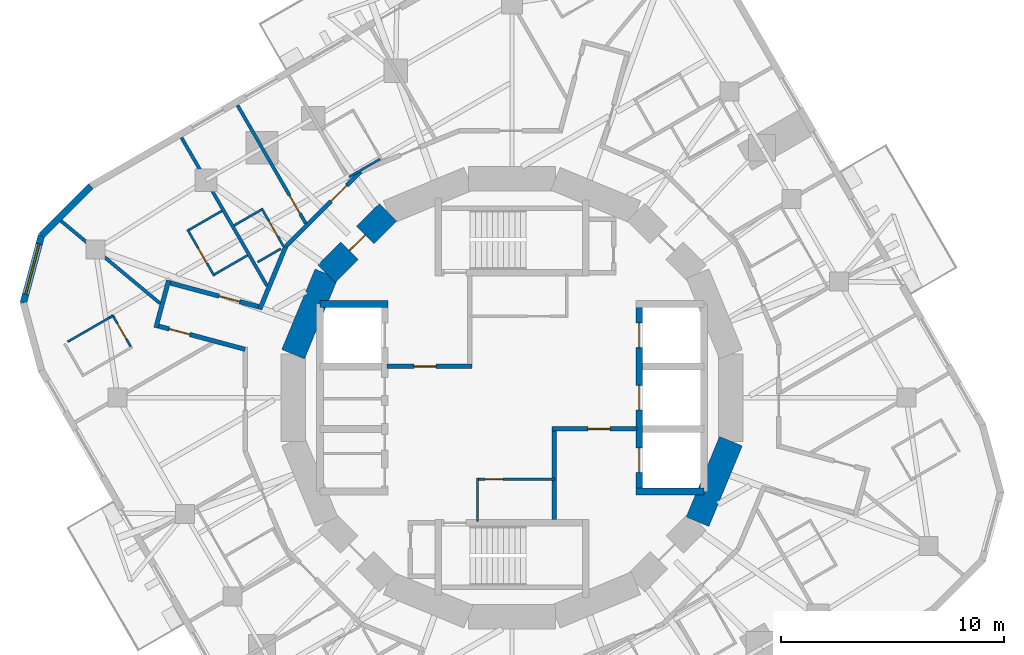
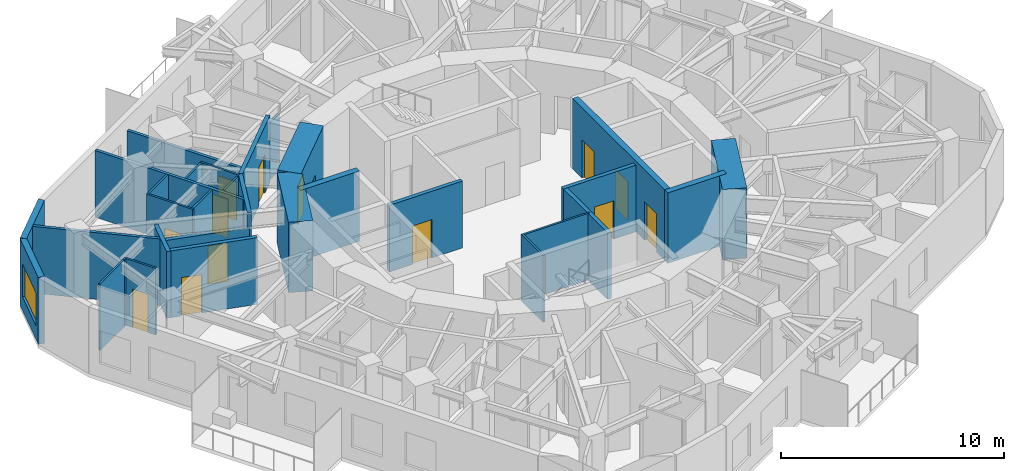
# One storey, part 6 of 11: 31 walls, 14 doors, 1 window, 15 openings.
"""IFC4 building model written with IfcOpenShell, lengths in metres."""

from ifc_helpers import new_model, si_unit, direction, frame, frame_2d, origin, place, context, subcontext, project, spatial, rectangle, extrude, material, layer, layer_set, type_object, element, fill, save


model = new_model("IFC4")

# Units and contexts
model_context = context("Model", 3, precision=1e-05, world=origin(), true_north=direction((0.0, 1.0)))
body_context = subcontext(model_context, "Body", "Model", "MODEL_VIEW")
ifc_project = project(units=[si_unit("LENGTHUNIT", "METRE"), si_unit("AREAUNIT", "SQUARE_METRE"), si_unit("VOLUMEUNIT", "CUBIC_METRE"), si_unit("PLANEANGLEUNIT", "RADIAN"), si_unit("MASSUNIT", "GRAM", prefix="KILO")], contexts=[model_context])

# Site, building, storey
site_placement = place(None, origin())
site = spatial("IfcSite", under=ifc_project, at=site_placement, CompositionType="ELEMENT")
building_placement = place(site_placement, origin())
building = spatial("IfcBuilding", under=site, at=building_placement, Name="Nakasero Lantern House", CompositionType="ELEMENT")
storey_placement = place(building_placement, frame((0.0, 0.0, 242.35009765625)))
storey = spatial("IfcBuildingStorey", under=building, at=storey_placement, Name="L59", CompositionType="ELEMENT", Elevation=242.35009765625)

# Wall, openings, doors
ifc_material_1 = material(Name="Concrete C50/60", Category="concrete")
ifc_layer_1 = layer(ifc_material_1, 0.300048828125)
ifc_layer_set_1 = layer_set([ifc_layer_1], Name="Core inner wall 300")
wall_type_1 = type_object("IfcWallType", Name="Core inner wall 300", PredefinedType="SHEAR", material=ifc_layer_set_1)
wall_1_placement = place(storey_placement, frame((5.699951171875, -4.199951171875, 0.0), z_axis=(0.0, 0.0, 1.0), x_axis=(0.0, 1.0, 0.0)))
wall_1 = element("IfcWall", 1, at=wall_1_placement, inside=storey, type_object=wall_type_1, Name="Core inner wall L59 LE", PredefinedType="SHEAR", context=body_context, shape_type="SweptSolid", body=[
    extrude(rectangle(XDim=8.39990234375, YDim=0.300048828125, at=frame_2d((4.199951171875, 0.0))), origin(), (0.0, 0.0, 1.0), 3.849853515625),
])
opening_1_placement = place(wall_1_placement, frame((0.85009765625, 0.0, 0.0)))
opening_1 = element("IfcOpeningElement", 2, at=opening_1_placement, cuts=wall_1, Name="Opening LD", PredefinedType="OPENING", context=body_context, shape_type="SweptSolid", body=[
    extrude(rectangle(XDim=1.10009765625, YDim=2.10009765625, at=frame_2d((0.550048828125, 1.050048828125))), frame((0.0, 0.169921875, 0.0), z_axis=(0.0, -1.0, 0.0), x_axis=(1.0, 0.0, 0.0)), (0.0, 0.0, 1.0), 0.340087890625),
])
opening_2_placement = place(wall_1_placement, frame((3.64990234375, 0.0, 0.0)))
opening_2 = element("IfcOpeningElement", 3, at=opening_2_placement, cuts=wall_1, Name="Opening LD", PredefinedType="OPENING", context=body_context, shape_type="SweptSolid", body=[
    extrude(rectangle(XDim=1.10009765625, YDim=2.10009765625, at=frame_2d((0.550048828125, 1.050048828125))), frame((0.0, 0.169921875, 0.0), z_axis=(0.0, -1.0, 0.0), x_axis=(1.0, 0.0, 0.0)), (0.0, 0.0, 1.0), 0.340087890625),
])
opening_3_placement = place(wall_1_placement, frame((6.449951171875, 0.0, 0.0)))
opening_3 = element("IfcOpeningElement", 4, at=opening_3_placement, cuts=wall_1, Name="Opening LD", PredefinedType="OPENING", context=body_context, shape_type="SweptSolid", body=[
    extrude(rectangle(XDim=1.10009765625, YDim=2.10009765625, at=frame_2d((0.550048828125, 1.050048828125))), frame((0.0, 0.169921875, 0.0), z_axis=(0.0, -1.0, 0.0), x_axis=(1.0, 0.0, 0.0)), (0.0, 0.0, 1.0), 0.340087890625),
])
ifc_material_2 = material(Name="Steel S355", Category="steel")
door_type_1 = type_object("IfcDoorType", Name="Lift landing door E120 1100", OperationType="SLIDING_TO_LEFT", PredefinedType="DOOR", material=ifc_material_2)
door_1_placement = place(opening_1_placement, origin())
door_1 = element("IfcDoor", 5, at=door_1_placement, inside=storey, type_object=door_type_1, Name="Lift landing door LE1", OperationType="SLIDING_TO_LEFT", OverallHeight=2.10009765625, OverallWidth=1.10009765625, PredefinedType="DOOR", context=body_context, shape_type="SweptSolid", body=[
    extrude(rectangle(XDim=1.10009765625, YDim=2.10009765625, at=frame_2d((0.550048828125, 1.050048828125))), frame((0.0, 0.02490234375, 0.0), z_axis=(0.0, -1.0, 0.0), x_axis=(1.0, 0.0, 0.0)), (0.0, 0.0, 1.0), 0.050048828125),
])
fill(opening_1, door_1)
door_2_placement = place(opening_2_placement, origin())
door_2 = element("IfcDoor", 6, at=door_2_placement, inside=storey, type_object=door_type_1, Name="Lift landing door LE2", OperationType="SLIDING_TO_LEFT", OverallHeight=2.10009765625, OverallWidth=1.10009765625, PredefinedType="DOOR", context=body_context, shape_type="SweptSolid", body=[
    extrude(rectangle(XDim=1.10009765625, YDim=2.10009765625, at=frame_2d((0.550048828125, 1.050048828125))), frame((0.0, 0.02490234375, 0.0), z_axis=(0.0, -1.0, 0.0), x_axis=(1.0, 0.0, 0.0)), (0.0, 0.0, 1.0), 0.050048828125),
])
fill(opening_2, door_2)
door_3_placement = place(opening_3_placement, origin())
door_3 = element("IfcDoor", 7, at=door_3_placement, inside=storey, type_object=door_type_1, Name="Lift landing door LE3", OperationType="SLIDING_TO_LEFT", OverallHeight=2.10009765625, OverallWidth=1.10009765625, PredefinedType="DOOR", context=body_context, shape_type="SweptSolid", body=[
    extrude(rectangle(XDim=1.10009765625, YDim=2.10009765625, at=frame_2d((0.550048828125, 1.050048828125))), frame((0.0, 0.02490234375, 0.0), z_axis=(0.0, -1.0, 0.0), x_axis=(1.0, 0.0, 0.0)), (0.0, 0.0, 1.0), 0.050048828125),
])
fill(opening_3, door_3)

# Walls
for number, where, z_axis, x_axis, name in (
    (8, (-8.60009765625, 4.199951171875, 0.0), (0.0, 0.0, 1.0), (1.0, 0.0, 0.0), "Core inner wall L59 LWN"),
    (9, (5.550048828125, -4.199951171875, 0.0), (0.0, 0.0, 1.0), (1.0, 0.0, 0.0), "Core inner wall L59 LES"),
):
    element("IfcWall", number, at=place(storey_placement, frame(where, z_axis=z_axis, x_axis=x_axis)), inside=storey, type_object=wall_type_1, Name=name, PredefinedType="SHEAR", context=body_context, shape_type="SweptSolid", body=[
        extrude(rectangle(XDim=3.050048828125, YDim=0.300048828125, at=frame_2d((1.52490234375, 0.0))), origin(), (0.0, 0.0, 1.0), 3.849853515625),
    ])

# Wall, opening, door
ifc_material_3 = material(Name="Blockwork", Category="masonry")
ifc_layer_2 = layer(ifc_material_3, 0.10009765625)
ifc_layer_set_2 = layer_set([ifc_layer_2], Name="Core room wall 100")
wall_type_2 = type_object("IfcWallType", Name="Core room wall 100", PredefinedType="PARTITIONING", material=ifc_layer_set_2)
wall_2_placement = place(storey_placement, frame((-1.60009765625, -3.64990234375, 0.0), z_axis=(0.0, 0.0, 1.0), x_axis=(1.0, 0.0, 0.0)))
wall_2 = element("IfcWall", 10, at=wall_2_placement, inside=storey, type_object=wall_type_2, Name="Core room wall L59 CR-SWN", PredefinedType="PARTITIONING", context=body_context, shape_type="SweptSolid", body=[
    extrude(rectangle(XDim=3.5, YDim=0.10009765625, at=frame_2d((1.75, 0.0))), origin(), (0.0, 0.0, 1.0), 3.64990234375),
])
opening_4_placement = place(wall_2_placement, frame((0.39990234375, 0.0, 0.0)))
opening_4 = element("IfcOpeningElement", 11, at=opening_4_placement, cuts=wall_2, Name="Opening D15", PredefinedType="OPENING", context=body_context, shape_type="SweptSolid", body=[
    extrude(rectangle(XDim=0.800048828125, YDim=2.10009765625, at=frame_2d((0.39990234375, 1.050048828125))), frame((0.0, 0.070068359375, 0.0), z_axis=(0.0, -1.0, 0.0), x_axis=(1.0, 0.0, 0.0)), (0.0, 0.0, 1.0), 0.14013671875),
])
ifc_material_4 = material(Name="Timber C24", Category="wood")
door_type_2 = type_object("IfcDoorType", Name="Cleaner's store door FD30S 800", OperationType="SINGLE_SWING_LEFT", PredefinedType="DOOR", material=ifc_material_4)
door_4_placement = place(opening_4_placement, origin())
door_4 = element("IfcDoor", 12, at=door_4_placement, inside=storey, type_object=door_type_2, Name="Door L59 D-CR-SW", OperationType="SINGLE_SWING_LEFT", OverallHeight=2.10009765625, OverallWidth=0.800048828125, PredefinedType="DOOR", context=body_context, shape_type="SweptSolid", body=[
    extrude(rectangle(XDim=0.800048828125, YDim=2.10009765625, at=frame_2d((0.39990234375, 1.050048828125))), frame((0.0, 0.02490234375, 0.0), z_axis=(0.0, -1.0, 0.0), x_axis=(1.0, 0.0, 0.0)), (0.0, 0.0, 1.0), 0.050048828125),
])
fill(opening_4, door_4)

# Wall
wall_3_placement = place(storey_placement, frame((-1.550048828125, -5.550048828125, 0.0), z_axis=(0.0, 0.0, 1.0), x_axis=(0.0, 1.0, 0.0)))
element("IfcWall", 13, at=wall_3_placement, inside=storey, type_object=wall_type_2, Name="Core room wall L59 CR-SWW", PredefinedType="PARTITIONING", context=body_context, shape_type="SweptSolid", body=[
    extrude(rectangle(XDim=1.949951171875, YDim=0.10009765625, at=frame_2d((0.97509765625, 0.0))), origin(), (0.0, 0.0, 1.0), 3.64990234375),
])

# Wall, opening, door
ifc_material_5 = material(Name="Concrete C50/60", Category="concrete")
ifc_layer_3 = layer(ifc_material_5, 1.10009765625)
ifc_layer_set_3 = layer_set([ifc_layer_3], Name="Core wall 1100")
wall_type_3 = type_object("IfcWallType", Name="Core wall 1100", PredefinedType="SHEAR", material=ifc_layer_set_3)
wall_4_placement = place(storey_placement, frame((-5.5556640625, 8.314697265625, 0.0), z_axis=(0.0, 0.0, 1.0), x_axis=(-0.707106781187, -0.707106781187, 0.0)))
wall_4 = element("IfcWall", 14, at=wall_4_placement, inside=storey, type_object=wall_type_3, Name="Core wall L59 facet 6", PredefinedType="SHEAR", context=body_context, shape_type="SweptSolid", body=[
    extrude(rectangle(XDim=3.90185546875, YDim=1.10009765625, at=frame_2d((1.950927734375, 0.0))), origin(), (0.0, 0.0, 1.0), 3.849853515625),
])
opening_5_placement = place(wall_4_placement, frame((1.450927734375, 0.0, 0.0)))
opening_5 = element("IfcOpeningElement", 15, at=opening_5_placement, cuts=wall_4, Name="Opening D05", PredefinedType="OPENING", context=body_context, shape_type="SweptSolid", body=[
    extrude(rectangle(XDim=1.0, YDim=2.10009765625, at=frame_2d((0.5, 1.050048828125))), frame((0.0, 0.570068359375, 0.0), z_axis=(0.0, -1.0, 0.0), x_axis=(1.0, 0.0, 0.0)), (0.0, 0.0, 1.0), 1.14013671875),
])
ifc_material_6 = material(Name="Timber C24", Category="wood")
door_type_3 = type_object("IfcDoorType", Name="Core door FD60S 1000", OperationType="SINGLE_SWING_LEFT", PredefinedType="DOOR", material=ifc_material_6)
door_5_placement = place(opening_5_placement, origin())
door_5 = element("IfcDoor", 16, at=door_5_placement, inside=storey, type_object=door_type_3, Name="Door L59 D-CORE06", OperationType="SINGLE_SWING_LEFT", OverallHeight=2.10009765625, OverallWidth=1.0, PredefinedType="DOOR", context=body_context, shape_type="SweptSolid", body=[
    extrude(rectangle(XDim=1.0, YDim=2.10009765625, at=frame_2d((0.5, 1.050048828125))), frame((0.0, 0.02490234375, 0.0), z_axis=(0.0, -1.0, 0.0), x_axis=(1.0, 0.0, 0.0)), (0.0, 0.0, 1.0), 0.050048828125),
])
fill(opening_5, door_5)

# Walls
for number, where, z_axis, x_axis, name in (
    (17, (-8.314697265625, 5.5556640625, 0.0), (0.0, 0.0, 1.0), (-0.382690736062, -0.923876507187, 0.0), "Core wall L59 facet 7"),
    (18, (8.314697265625, -5.5556640625, 0.0), (0.0, 0.0, 1.0), (0.382690736062, 0.923876507187, 0.0), "Core wall L59 facet 15"),
):
    element("IfcWall", number, at=place(storey_placement, frame(where, z_axis=z_axis, x_axis=x_axis)), inside=storey, type_object=wall_type_3, Name=name, PredefinedType="SHEAR", context=body_context, shape_type="SweptSolid", body=[
        extrude(rectangle(XDim=3.90185546875, YDim=1.10009765625, at=frame_2d((1.950927734375, 0.0))), origin(), (0.0, 0.0, 1.0), 3.849853515625),
    ])
ifc_material_7 = material(Name="Blockwork", Category="masonry")
ifc_layer_4 = layer(ifc_material_7, 0.199951171875)
ifc_layer_set_4 = layer_set([ifc_layer_4], Name="Corridor wall 200")
wall_type_4 = type_object("IfcWallType", Name="Corridor wall 200", PredefinedType="PARTITIONING", material=ifc_layer_set_4)
wall_5_placement = place(storey_placement, frame((-11.302734375, 3.960205078125, 0.0), z_axis=(0.0, 0.0, 1.0), x_axis=(0.382656259044, 0.923890787601, 0.0)))
element("IfcWall", 19, at=wall_5_placement, inside=storey, type_object=wall_type_4, Name="Corridor wall L59 RC09a", PredefinedType="PARTITIONING", context=body_context, shape_type="SweptSolid", body=[
    extrude(rectangle(XDim=3.045166015625, YDim=0.199951171875, at=frame_2d((1.5224609375, 0.0))), origin(), (0.0, 0.0, 1.0), 3.64990234375),
])

# Wall, opening, door
wall_6_placement = place(storey_placement, frame((-10.137451171875, 6.773681640625, 0.0), z_axis=(0.0, 0.0, 1.0), x_axis=(0.707106781187, 0.707106781187, 0.0)))
wall_6 = element("IfcWall", 20, at=wall_6_placement, inside=storey, type_object=wall_type_4, Name="Corridor wall L59 RC10a", PredefinedType="PARTITIONING", context=body_context, shape_type="SweptSolid", body=[
    extrude(rectangle(XDim=4.757080078125, YDim=0.199951171875, at=frame_2d((2.37841796875, 0.0))), origin(), (0.0, 0.0, 1.0), 3.64990234375),
])
opening_6_placement = place(wall_6_placement, frame((2.8701171875, 0.0, 0.0)))
opening_6 = element("IfcOpeningElement", 21, at=opening_6_placement, cuts=wall_6, Name="Opening D14", PredefinedType="OPENING", context=body_context, shape_type="SweptSolid", body=[
    extrude(rectangle(XDim=1.0, YDim=2.10009765625, at=frame_2d((0.5, 1.050048828125))), frame((0.0, 0.119873046875, 0.0), z_axis=(0.0, -1.0, 0.0), x_axis=(1.0, 0.0, 0.0)), (0.0, 0.0, 1.0), 0.239990234375),
])
ifc_material_8 = material(Name="Timber C24", Category="wood")
door_type_4 = type_object("IfcDoorType", Name="Cluster entrance door FD30S 1000", OperationType="SINGLE_SWING_LEFT", PredefinedType="DOOR", material=ifc_material_8)
door_6_placement = place(opening_6_placement, origin())
door_6 = element("IfcDoor", 22, at=door_6_placement, inside=storey, type_object=door_type_4, Name="Door L59 D1-04", OperationType="SINGLE_SWING_RIGHT", OverallHeight=2.10009765625, OverallWidth=1.0, PredefinedType="DOOR", context=body_context, shape_type="SweptSolid", body=[
    extrude(rectangle(XDim=1.0, YDim=2.10009765625, at=frame_2d((0.5, 1.050048828125))), frame((0.0, 0.02490234375, 0.0), z_axis=(0.0, -1.0, 0.0), x_axis=(1.0, 0.0, 0.0)), (0.0, 0.0, 1.0), 0.050048828125),
])
fill(opening_6, door_6)

wall_7_placement = place(storey_placement, frame((-11.26416015625, 4.053466796875, 0.0), z_axis=(0.0, 0.0, 1.0), x_axis=(-0.965919779438, 0.258841611204, 0.0)))
wall_7 = element("IfcWall", 23, at=wall_7_placement, inside=storey, type_object=wall_type_4, Name="Corridor wall L59 SP1a", PredefinedType="PARTITIONING", context=body_context, shape_type="SweptSolid", body=[
    extrude(rectangle(XDim=4.394287109375, YDim=0.199951171875, at=frame_2d((2.197265625, 0.0))), origin(), (0.0, 0.0, 1.0), 2.80908203125),
])
opening_7_placement = place(wall_7_placement, frame((0.969970703125, 0.0, 0.0)))
opening_7 = element("IfcOpeningElement", 24, at=opening_7_placement, cuts=wall_7, Name="Opening D01", PredefinedType="OPENING", context=body_context, shape_type="SweptSolid", body=[
    extrude(rectangle(XDim=0.949951171875, YDim=2.10009765625, at=frame_2d((0.47509765625, 1.050048828125))), frame((0.0, 0.119873046875, 0.0), z_axis=(0.0, -1.0, 0.0), x_axis=(1.0, 0.0, 0.0)), (0.0, 0.0, 1.0), 0.239990234375),
])
ifc_material_9 = material(Name="Timber C24", Category="wood")
door_type_5 = type_object("IfcDoorType", Name="Bedroom door FD30S 950", OperationType="SINGLE_SWING_LEFT", PredefinedType="DOOR", material=ifc_material_9)
door_7_placement = place(opening_7_placement, origin())
door_7 = element("IfcDoor", 25, at=door_7_placement, inside=storey, type_object=door_type_5, Name="Door L59 D1-06", OperationType="SINGLE_SWING_LEFT", OverallHeight=2.10009765625, OverallWidth=0.949951171875, PredefinedType="DOOR", context=body_context, shape_type="SweptSolid", body=[
    extrude(rectangle(XDim=0.949951171875, YDim=2.10009765625, at=frame_2d((0.47509765625, 1.050048828125))), frame((0.0, 0.02490234375, 0.0), z_axis=(0.0, -1.0, 0.0), x_axis=(1.0, 0.0, 0.0)), (0.0, 0.0, 1.0), 0.050048828125),
])
fill(opening_7, door_7)

wall_8_placement = place(storey_placement, frame((-11.957763671875, 2.168701171875, 0.0), z_axis=(0.0, 0.0, 1.0), x_axis=(-0.965916744568, 0.258852936168, 0.0)))
wall_8 = element("IfcWall", 26, at=wall_8_placement, inside=storey, type_object=wall_type_4, Name="Corridor wall L59 SP1b", PredefinedType="PARTITIONING", context=body_context, shape_type="SweptSolid", body=[
    extrude(rectangle(XDim=4.212158203125, YDim=0.199951171875, at=frame_2d((2.10595703125, 0.0))), origin(), (0.0, 0.0, 1.0), 3.64990234375),
])
opening_8_placement = place(wall_8_placement, frame((2.570068359375, 0.0, 0.0)))
opening_8 = element("IfcOpeningElement", 27, at=opening_8_placement, cuts=wall_8, Name="Opening D01", PredefinedType="OPENING", context=body_context, shape_type="SweptSolid", body=[
    extrude(rectangle(XDim=0.949951171875, YDim=2.10009765625, at=frame_2d((0.47509765625, 1.050048828125))), frame((0.0, 0.119873046875, 0.0), z_axis=(0.0, -1.0, 0.0), x_axis=(1.0, 0.0, 0.0)), (0.0, 0.0, 1.0), 0.239990234375),
])
door_8_placement = place(opening_8_placement, origin())
door_8 = element("IfcDoor", 28, at=door_8_placement, inside=storey, type_object=door_type_5, Name="Door L59 D2-00", OperationType="SINGLE_SWING_RIGHT", OverallHeight=2.10009765625, OverallWidth=0.949951171875, PredefinedType="DOOR", context=body_context, shape_type="SweptSolid", body=[
    extrude(rectangle(XDim=0.949951171875, YDim=2.10009765625, at=frame_2d((0.47509765625, 1.050048828125))), frame((0.0, 0.02490234375, 0.0), z_axis=(0.0, -1.0, 0.0), x_axis=(1.0, 0.0, 0.0)), (0.0, 0.0, 1.0), 0.050048828125),
])
fill(opening_8, door_8)

# Walls
wall_9_placement = place(storey_placement, frame((-15.38623046875, 5.261474609375, 0.0), z_axis=(0.0, 0.0, 1.0), x_axis=(-0.258898792763, -0.965904454439, 0.0)))
element("IfcWall", 29, at=wall_9_placement, inside=storey, type_object=wall_type_4, Name="Corridor wall L59 SP1e", PredefinedType="PARTITIONING", context=body_context, shape_type="SweptSolid", body=[
    extrude(rectangle(XDim=2.199951171875, YDim=0.199951171875, at=frame_2d((1.10009765625, 0.0))), origin(), (0.0, 0.0, 1.0), 3.64990234375),
])
ifc_material_10 = material(Name="Blockwork", Category="masonry")
ifc_layer_5 = layer(ifc_material_10, 0.10009765625)
ifc_layer_set_5 = layer_set([ifc_layer_5], Name="En-suite wall 100")
wall_type_5 = type_object("IfcWallType", Name="En-suite wall 100", PredefinedType="PARTITIONING", material=ifc_layer_set_5)
wall_10_placement = place(storey_placement, frame((-5.914794921875, 10.69287109375, 0.0), z_axis=(0.0, 0.0, 1.0), x_axis=(-0.866094119867, -0.499880961361, 0.0)))
element("IfcWall", 30, at=wall_10_placement, inside=storey, type_object=wall_type_5, Name="En-suite wall L59 EI1-03", PredefinedType="PARTITIONING", context=body_context, shape_type="SweptSolid", body=[
    extrude(rectangle(XDim=1.60009765625, YDim=0.10009765625, at=frame_2d((0.800048828125, 0.0))), origin(), (0.0, 0.0, 1.0), 3.11328125),
])

# Wall, opening, door
wall_11_placement = place(storey_placement, frame((-10.220703125, 6.754150390625, 0.0), z_axis=(0.0, 0.0, 1.0), x_axis=(-0.50002537861, 0.866010750942, 0.0)))
wall_11 = element("IfcWall", 31, at=wall_11_placement, inside=storey, type_object=wall_type_5, Name="En-suite wall L59 ES1-05", PredefinedType="PARTITIONING", context=body_context, shape_type="SweptSolid", body=[
    extrude(rectangle(XDim=2.0, YDim=0.10009765625, at=frame_2d((1.0, 0.0))), origin(), (0.0, 0.0, 1.0), 3.64990234375),
])
opening_9_placement = place(wall_11_placement, frame((0.550048828125, 0.0, 0.0)))
opening_9 = element("IfcOpeningElement", 32, at=opening_9_placement, cuts=wall_11, Name="Opening D02", PredefinedType="OPENING", context=body_context, shape_type="SweptSolid", body=[
    extrude(rectangle(XDim=0.800048828125, YDim=2.10009765625, at=frame_2d((0.39990234375, 1.050048828125))), frame((0.0, 0.070068359375, 0.0), z_axis=(0.0, -1.0, 0.0), x_axis=(1.0, 0.0, 0.0)), (0.0, 0.0, 1.0), 0.14013671875),
])
ifc_material_11 = material(Name="Timber C24", Category="wood")
door_type_6 = type_object("IfcDoorType", Name="En-suite door 800", OperationType="SINGLE_SWING_RIGHT", PredefinedType="DOOR", material=ifc_material_11)
door_9_placement = place(opening_9_placement, origin())
door_9 = element("IfcDoor", 33, at=door_9_placement, inside=storey, type_object=door_type_6, Name="Door L59 DE1-05", OperationType="SINGLE_SWING_LEFT", OverallHeight=2.10009765625, OverallWidth=0.800048828125, PredefinedType="DOOR", context=body_context, shape_type="SweptSolid", body=[
    extrude(rectangle(XDim=0.800048828125, YDim=2.10009765625, at=frame_2d((0.39990234375, 1.050048828125))), frame((0.0, 0.02490234375, 0.0), z_axis=(0.0, -1.0, 0.0), x_axis=(1.0, 0.0, 0.0)), (0.0, 0.0, 1.0), 0.050048828125),
])
fill(opening_9, door_9)

# Wall
wall_12_placement = place(storey_placement, frame((-11.239013671875, 8.417724609375, 0.0), z_axis=(0.0, 0.0, 1.0), x_axis=(-0.866034573852, -0.49998411664, 0.0)))
element("IfcWall", 34, at=wall_12_placement, inside=storey, type_object=wall_type_5, Name="En-suite wall L59 EE1-05", PredefinedType="PARTITIONING", context=body_context, shape_type="SweptSolid", body=[
    extrude(rectangle(XDim=1.39990234375, YDim=0.10009765625, at=frame_2d((0.699951171875, 0.0))), origin(), (0.0, 0.0, 1.0), 3.64990234375),
])

# Wall, opening, door
wall_13_placement = place(storey_placement, frame((-13.342041015625, 5.46044921875, 0.0), z_axis=(0.0, 0.0, 1.0), x_axis=(-0.500033551112, 0.866006032174, 0.0)))
wall_13 = element("IfcWall", 35, at=wall_13_placement, inside=storey, type_object=wall_type_5, Name="En-suite wall L59 ES1-06", PredefinedType="PARTITIONING", context=body_context, shape_type="SweptSolid", body=[
    extrude(rectangle(XDim=2.400146484375, YDim=0.10009765625, at=frame_2d((1.2001953125, 0.0))), origin(), (0.0, 0.0, 1.0), 3.64990234375),
])
opening_10_placement = place(wall_13_placement, frame((0.64990234375, 0.0, 0.0)))
opening_10 = element("IfcOpeningElement", 36, at=opening_10_placement, cuts=wall_13, Name="Opening D02", PredefinedType="OPENING", context=body_context, shape_type="SweptSolid", body=[
    extrude(rectangle(XDim=0.800048828125, YDim=2.10009765625, at=frame_2d((0.39990234375, 1.050048828125))), frame((0.0, 0.070068359375, 0.0), z_axis=(0.0, -1.0, 0.0), x_axis=(1.0, 0.0, 0.0)), (0.0, 0.0, 1.0), 0.14013671875),
])
door_10_placement = place(opening_10_placement, origin())
door_10 = element("IfcDoor", 37, at=door_10_placement, inside=storey, type_object=door_type_6, Name="Door L59 DE1-06", OperationType="SINGLE_SWING_LEFT", OverallHeight=2.10009765625, OverallWidth=0.800048828125, PredefinedType="DOOR", context=body_context, shape_type="SweptSolid", body=[
    extrude(rectangle(XDim=0.800048828125, YDim=2.10009765625, at=frame_2d((0.39990234375, 1.050048828125))), frame((0.0, 0.02490234375, 0.0), z_axis=(0.0, -1.0, 0.0), x_axis=(1.0, 0.0, 0.0)), (0.0, 0.0, 1.0), 0.050048828125),
])
fill(opening_10, door_10)

# Walls
for number, where, z_axis, x_axis, name in (
    (38, (-13.001708984375, 8.37060546875, 0.0), (0.0, 0.0, 1.0), (-0.86605165483, -0.499954529098, 0.0), "En-suite wall L59 EE1-06"),
    (39, (-11.8515625, 6.37890625, 0.0), (0.0, 0.0, 1.0), (-0.865989465428, -0.500062241894, 0.0), "En-suite wall L59 EI1-06"),
):
    element("IfcWall", number, at=place(storey_placement, frame(where, z_axis=z_axis, x_axis=x_axis)), inside=storey, type_object=wall_type_5, Name=name, PredefinedType="PARTITIONING", context=body_context, shape_type="SweptSolid", body=[
        extrude(rectangle(XDim=1.699951171875, YDim=0.10009765625, at=frame_2d((0.85009765625, 0.0))), origin(), (0.0, 0.0, 1.0), 3.64990234375),
    ])

# Wall, opening, door
wall_14_placement = place(storey_placement, frame((-17.8837890625, 3.675537109375, 0.0), z_axis=(0.0, 0.0, 1.0), x_axis=(0.500061482766, -0.865989903783, 0.0)))
wall_14 = element("IfcWall", 40, at=wall_14_placement, inside=storey, type_object=wall_type_5, Name="En-suite wall L59 EI2-00", PredefinedType="PARTITIONING", context=body_context, shape_type="SweptSolid", body=[
    extrude(rectangle(XDim=1.599853515625, YDim=0.10009765625, at=frame_2d((0.7998046875, 0.0))), origin(), (0.0, 0.0, 1.0), 3.64990234375),
])
opening_11_placement = place(wall_14_placement, frame((0.39990234375, 0.0, 0.0)))
opening_11 = element("IfcOpeningElement", 41, at=opening_11_placement, cuts=wall_14, Name="Opening D02", PredefinedType="OPENING", context=body_context, shape_type="SweptSolid", body=[
    extrude(rectangle(XDim=0.800048828125, YDim=2.10009765625, at=frame_2d((0.39990234375, 1.050048828125))), frame((0.0, 0.070068359375, 0.0), z_axis=(0.0, -1.0, 0.0), x_axis=(1.0, 0.0, 0.0)), (0.0, 0.0, 1.0), 0.14013671875),
])
door_11_placement = place(opening_11_placement, origin())
door_11 = element("IfcDoor", 42, at=door_11_placement, inside=storey, type_object=door_type_6, Name="Door L59 DE2-00", OperationType="SINGLE_SWING_LEFT", OverallHeight=2.10009765625, OverallWidth=0.800048828125, PredefinedType="DOOR", context=body_context, shape_type="SweptSolid", body=[
    extrude(rectangle(XDim=0.800048828125, YDim=2.10009765625, at=frame_2d((0.39990234375, 1.050048828125))), frame((0.0, 0.02490234375, 0.0), z_axis=(0.0, -1.0, 0.0), x_axis=(1.0, 0.0, 0.0)), (0.0, 0.0, 1.0), 0.050048828125),
])
fill(opening_11, door_11)

# Walls
wall_15_placement = place(storey_placement, frame((-11.40283203125, 6.071533203125, 0.0), z_axis=(0.0, 0.0, 1.0), x_axis=(0.86598987286, 0.500061536317, 0.0)))
element("IfcWall", 43, at=wall_15_placement, inside=storey, type_object=wall_type_5, Name="En-suite wall L59 EX002", PredefinedType="PARTITIONING", context=body_context, shape_type="SweptSolid", body=[
    extrude(rectangle(XDim=1.204833984375, YDim=0.10009765625, at=frame_2d((0.6025390625, 0.0))), origin(), (0.0, 0.0, 1.0), 3.64990234375),
])
wall_16_placement = place(storey_placement, frame((-18.022216796875, 3.595458984375, 0.0), z_axis=(0.0, 0.0, 1.0), x_axis=(-0.866056906104, -0.499945432413, 0.0)))
element("IfcWall", 44, at=wall_16_placement, inside=storey, type_object=wall_type_5, Name="En-suite wall L59 EX003", PredefinedType="PARTITIONING", context=body_context, shape_type="SweptSolid", body=[
    extrude(rectangle(XDim=2.179931640625, YDim=0.10009765625, at=frame_2d((1.08984375, 0.0))), origin(), (0.0, 0.0, 1.0), 3.64990234375),
])
wall_17_placement = place(storey_placement, frame((-17.8837890625, 3.675537109375, 0.0), z_axis=(0.0, 0.0, 1.0), x_axis=(-0.865600433939, -0.500735348028, 0.0)))
element("IfcWall", 45, at=wall_17_placement, inside=storey, type_object=wall_type_5, Name="En-suite wall L59 EI2-00R0", PredefinedType="PARTITIONING", context=body_context, shape_type="SweptSolid", body=[
    extrude(rectangle(XDim=0.159912109375, YDim=0.10009765625, at=frame_2d((0.080078125, 0.0))), origin(), (0.0, 0.0, 1.0), 3.64990234375),
])
ifc_material_12 = material(Name="Aluminium rainscreen on blockwork", Category="masonry")
ifc_layer_6 = layer(ifc_material_12, 0.300048828125)
ifc_layer_set_6 = layer_set([ifc_layer_6], Name="Facade wall 300")
wall_type_6 = type_object("IfcWallType", Name="Facade wall 300", PredefinedType="SOLIDWALL", material=ifc_layer_set_6)
wall_18_placement = place(storey_placement, frame((-18.870849609375, 9.4853515625, 0.0), z_axis=(0.0, 0.0, 1.0), x_axis=(-0.707145758492, -0.707067801733, 0.0)))
element("IfcWall", 46, at=wall_18_placement, inside=storey, type_object=wall_type_6, Name="Facade wall L59 FW1C1", PredefinedType="SOLIDWALL", context=body_context, shape_type="SweptSolid", body=[
    extrude(rectangle(XDim=3.1318359375, YDim=0.300048828125, at=frame_2d((1.56591796875, 0.0))), origin(), (0.0, 0.0, 1.0), 3.64990234375),
])

# Wall, opening, window
wall_19_placement = place(storey_placement, frame((-21.08544921875, 7.27099609375, 0.0), z_axis=(0.0, 0.0, 1.0), x_axis=(-0.258807521156, -0.965928914048, 0.0)))
wall_19 = element("IfcWall", 47, at=wall_19_placement, inside=storey, type_object=wall_type_6, Name="Facade wall L59 FW1C2", PredefinedType="SOLIDWALL", context=body_context, shape_type="SweptSolid", body=[
    extrude(rectangle(XDim=3.1318359375, YDim=0.300048828125, at=frame_2d((1.56591796875, 0.0))), origin(), (0.0, 0.0, 1.0), 3.64990234375),
])
opening_12_placement = place(wall_19_placement, frame((0.39990234375, 0.0, 0.75)))
opening_12 = element("IfcOpeningElement", 48, at=opening_12_placement, cuts=wall_19, Name="Opening W223", PredefinedType="OPENING", context=body_context, shape_type="SweptSolid", body=[
    extrude(rectangle(XDim=2.33203125, YDim=1.800048828125, at=frame_2d((1.166015625, 0.89990234375))), frame((0.0, 0.169921875, 0.0), z_axis=(0.0, -1.0, 0.0), x_axis=(1.0, 0.0, 0.0)), (0.0, 0.0, 1.0), 0.340087890625),
])
ifc_material_13 = material(Name="Aluminium 6063-T6 and glass", Category="aluminium")
window_type = type_object("IfcWindowType", Name="Corner window 2332x1800", PartitioningType="SINGLE_PANEL", PredefinedType="WINDOW", material=ifc_material_13)
window_placement = place(opening_12_placement, origin())
window = element("IfcWindow", 49, at=window_placement, inside=storey, type_object=window_type, Name="Window L59 WC1", OverallHeight=1.800048828125, OverallWidth=2.33203125, PartitioningType="SINGLE_PANEL", PredefinedType="WINDOW", context=body_context, shape_type="SweptSolid", body=[
    extrude(rectangle(XDim=2.33203125, YDim=1.800048828125, at=frame_2d((1.166015625, 0.89990234375))), frame((0.0, 0.030029296875, 0.0), z_axis=(0.0, -1.0, 0.0), x_axis=(1.0, 0.0, 0.0)), (0.0, 0.0, 1.0), 0.06005859375),
])
fill(opening_12, window)

# Wall, opening, door
ifc_material_14 = material(Name="Blockwork", Category="masonry")
ifc_layer_7 = layer(ifc_material_14, 0.199951171875)
ifc_layer_set_7 = layer_set([ifc_layer_7], Name="Fire lobby wall 200")
wall_type_7 = type_object("IfcWallType", Name="Fire lobby wall 200", PredefinedType="PARTITIONING", material=ifc_layer_set_7)
wall_20_placement = place(storey_placement, frame((-5.60009765625, 1.39990234375, 0.0), z_axis=(0.0, 0.0, 1.0), x_axis=(1.0, 0.0, 0.0)))
wall_20 = element("IfcWall", 50, at=wall_20_placement, inside=storey, type_object=wall_type_7, Name="Fire lobby wall L59 W-FL1S", PredefinedType="PARTITIONING", context=body_context, shape_type="SweptSolid", body=[
    extrude(rectangle(XDim=3.800048828125, YDim=0.199951171875, at=frame_2d((1.89990234375, 0.0))), origin(), (0.0, 0.0, 1.0), 3.64990234375),
])
opening_13_placement = place(wall_20_placement, frame((1.199951171875, 0.0, 0.0)))
opening_13 = element("IfcOpeningElement", 51, at=opening_13_placement, cuts=wall_20, Name="Opening D05", PredefinedType="OPENING", context=body_context, shape_type="SweptSolid", body=[
    extrude(rectangle(XDim=1.0, YDim=2.10009765625, at=frame_2d((0.5, 1.050048828125))), frame((0.0, 0.119873046875, 0.0), z_axis=(0.0, -1.0, 0.0), x_axis=(1.0, 0.0, 0.0)), (0.0, 0.0, 1.0), 0.239990234375),
])
door_12_placement = place(opening_13_placement, origin())
door_12 = element("IfcDoor", 52, at=door_12_placement, inside=storey, type_object=door_type_3, Name="Door L59 D-FL1", OperationType="SINGLE_SWING_LEFT", OverallHeight=2.10009765625, OverallWidth=1.0, PredefinedType="DOOR", context=body_context, shape_type="SweptSolid", body=[
    extrude(rectangle(XDim=1.0, YDim=2.10009765625, at=frame_2d((0.5, 1.050048828125))), frame((0.0, 0.02490234375, 0.0), z_axis=(0.0, -1.0, 0.0), x_axis=(1.0, 0.0, 0.0)), (0.0, 0.0, 1.0), 0.050048828125),
])
fill(opening_13, door_12)

wall_21_placement = place(storey_placement, frame((5.60009765625, -1.39990234375, 0.0), z_axis=(0.0, 0.0, 1.0), x_axis=(-1.0, 0.0, 0.0)))
wall_21 = element("IfcWall", 53, at=wall_21_placement, inside=storey, type_object=wall_type_7, Name="Fire lobby wall L59 W-FL2N", PredefinedType="PARTITIONING", context=body_context, shape_type="SweptSolid", body=[
    extrude(rectangle(XDim=3.800048828125, YDim=0.199951171875, at=frame_2d((1.89990234375, 0.0))), origin(), (0.0, 0.0, 1.0), 3.64990234375),
])
opening_14_placement = place(wall_21_placement, frame((1.199951171875, 0.0, 0.0)))
opening_14 = element("IfcOpeningElement", 54, at=opening_14_placement, cuts=wall_21, Name="Opening D05", PredefinedType="OPENING", context=body_context, shape_type="SweptSolid", body=[
    extrude(rectangle(XDim=1.0, YDim=2.10009765625, at=frame_2d((0.5, 1.050048828125))), frame((0.0, 0.119873046875, 0.0), z_axis=(0.0, -1.0, 0.0), x_axis=(1.0, 0.0, 0.0)), (0.0, 0.0, 1.0), 0.239990234375),
])
door_13_placement = place(opening_14_placement, origin())
door_13 = element("IfcDoor", 55, at=door_13_placement, inside=storey, type_object=door_type_3, Name="Door L59 D-FL2", OperationType="SINGLE_SWING_LEFT", OverallHeight=2.10009765625, OverallWidth=1.0, PredefinedType="DOOR", context=body_context, shape_type="SweptSolid", body=[
    extrude(rectangle(XDim=1.0, YDim=2.10009765625, at=frame_2d((0.5, 1.050048828125))), frame((0.0, 0.02490234375, 0.0), z_axis=(0.0, -1.0, 0.0), x_axis=(1.0, 0.0, 0.0)), (0.0, 0.0, 1.0), 0.050048828125),
])
fill(opening_14, door_13)

# Wall
wall_22_placement = place(storey_placement, frame((1.89990234375, -1.5, 0.0), z_axis=(0.0, 0.0, 1.0), x_axis=(0.0, -1.0, 0.0)))
element("IfcWall", 56, at=wall_22_placement, inside=storey, type_object=wall_type_7, Name="Fire lobby wall L59 W-FL2W", PredefinedType="PARTITIONING", context=body_context, shape_type="SweptSolid", body=[
    extrude(rectangle(XDim=3.949951171875, YDim=0.199951171875, at=frame_2d((1.97509765625, 0.0))), origin(), (0.0, 0.0, 1.0), 3.64990234375),
])

# Wall, opening, door
ifc_material_15 = material(Name="Blockwork", Category="masonry")
ifc_layer_8 = layer(ifc_material_15, 0.14990234375)
ifc_layer_set_8 = layer_set([ifc_layer_8], Name="Party wall 150")
wall_type_8 = type_object("IfcWallType", Name="Party wall 150", PredefinedType="PARTITIONING", material=ifc_layer_set_8)
wall_23_placement = place(storey_placement, frame((-9.24267578125, 7.8095703125, 0.0), z_axis=(0.0, 0.0, 1.0), x_axis=(-0.49998624504, 0.866033345069, 0.0)))
wall_23 = element("IfcWall", 57, at=wall_23_placement, inside=storey, type_object=wall_type_8, Name="Party wall L59 PW1-05", PredefinedType="PARTITIONING", context=body_context, shape_type="SweptSolid", body=[
    extrude(rectangle(XDim=6.115478515625, YDim=0.14990234375, at=frame_2d((3.0576171875, 0.0))), origin(), (0.0, 0.0, 1.0), 2.96630859375),
])
opening_15_placement = place(wall_23_placement, frame((0.5, 0.0, 0.0)))
opening_15 = element("IfcOpeningElement", 58, at=opening_15_placement, cuts=wall_23, Name="Opening D01", PredefinedType="OPENING", context=body_context, shape_type="SweptSolid", body=[
    extrude(rectangle(XDim=0.949951171875, YDim=2.10009765625, at=frame_2d((0.47509765625, 1.050048828125))), frame((0.0, 0.094970703125, 0.0), z_axis=(0.0, -1.0, 0.0), x_axis=(1.0, 0.0, 0.0)), (0.0, 0.0, 1.0), 0.18994140625),
])
door_14_placement = place(opening_15_placement, origin())
door_14 = element("IfcDoor", 59, at=door_14_placement, inside=storey, type_object=door_type_5, Name="Door L59 DS1-05", OperationType="SINGLE_SWING_LEFT", OverallHeight=2.10009765625, OverallWidth=0.949951171875, PredefinedType="DOOR", context=body_context, shape_type="SweptSolid", body=[
    extrude(rectangle(XDim=0.949951171875, YDim=2.10009765625, at=frame_2d((0.47509765625, 1.050048828125))), frame((0.0, 0.02490234375, 0.0), z_axis=(0.0, -1.0, 0.0), x_axis=(1.0, 0.0, 0.0)), (0.0, 0.0, 1.0), 0.050048828125),
])
fill(opening_15, door_14)

# Walls
wall_24_placement = place(storey_placement, frame((-10.9755859375, 5.011474609375, 0.0), z_axis=(0.0, 0.0, 1.0), x_axis=(-0.499985976588, 0.866033500054, 0.0)))
element("IfcWall", 60, at=wall_24_placement, inside=storey, type_object=wall_type_8, Name="Party wall L59 PW1-06", PredefinedType="PARTITIONING", context=body_context, shape_type="SweptSolid", body=[
    extrude(rectangle(XDim=7.672119140625, YDim=0.14990234375, at=frame_2d((3.8359375, 0.0))), origin(), (0.0, 0.0, 1.0), 3.64990234375),
])
wall_25_placement = place(storey_placement, frame((-15.767578125, 4.224853515625, 0.0), z_axis=(0.0, 0.0, 1.0), x_axis=(-0.768380441131, 0.639993357533, 0.0)))
element("IfcWall", 61, at=wall_25_placement, inside=storey, type_object=wall_type_8, Name="Party wall L59 PW2-00", PredefinedType="PARTITIONING", context=body_context, shape_type="SweptSolid", body=[
    extrude(rectangle(XDim=5.78271484375, YDim=0.14990234375, at=frame_2d((2.891357421875, 0.0))), origin(), (0.0, 0.0, 1.0), 3.64990234375),
])

save(model, "model.ifc")
